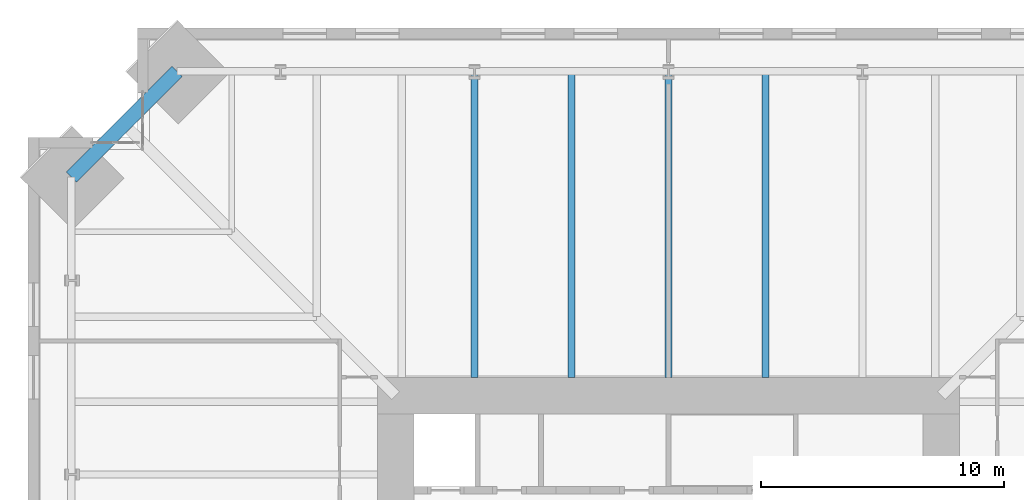
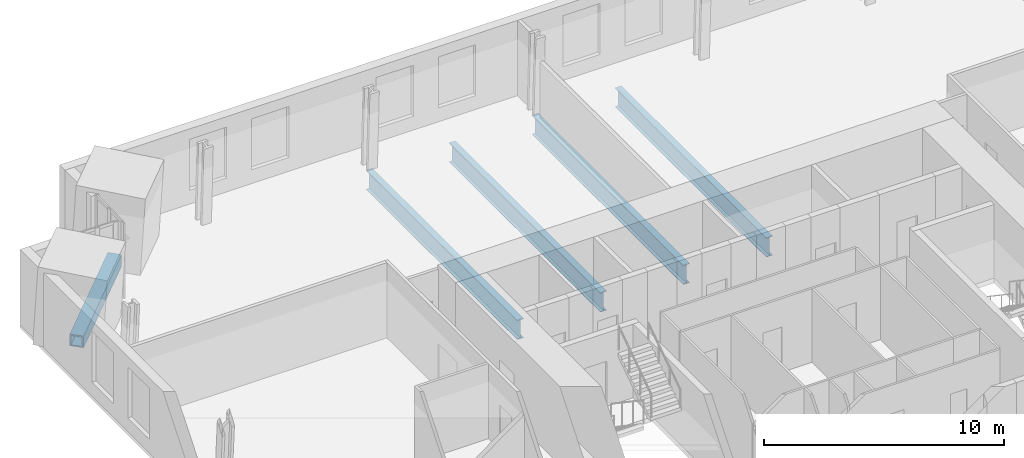
# One storey, part 7 of 18: 5 beams.
"""IFC4 building model written with IfcOpenShell, lengths in metres."""

from ifc_helpers import new_model, si_unit, direction, frame, origin, origin_2d, place, context, subcontext, project, spatial, hollow_rectangle, i_section, extrude, material, material_profile, profile_set, type_object, element, save


model = new_model("IFC4")

# Units and contexts
model_context = context("Model", 3, precision=1e-05, world=origin(), true_north=direction((0.0, 1.0)))
body_context = subcontext(model_context, "Body", "Model", "MODEL_VIEW")
ifc_project = project(units=[si_unit("LENGTHUNIT", "METRE"), si_unit("AREAUNIT", "SQUARE_METRE"), si_unit("VOLUMEUNIT", "CUBIC_METRE"), si_unit("PLANEANGLEUNIT", "RADIAN"), si_unit("MASSUNIT", "GRAM", prefix="KILO")], contexts=[model_context])

# Site, building, storey
site_placement = place(None, origin())
site = spatial("IfcSite", under=ifc_project, at=site_placement, CompositionType="ELEMENT")
building_placement = place(site_placement, origin())
building = spatial("IfcBuilding", under=site, at=building_placement, Name="Peilmerk Tower", CompositionType="ELEMENT")
storey_placement = place(building_placement, frame((0.0, 0.0, 155.800048828125)))
storey = spatial("IfcBuildingStorey", under=building, at=storey_placement, Name="L32", CompositionType="ELEMENT", Elevation=155.800048828125)

# Beams
ifc_material_1 = material(Name="Steel S355", Category="steel")
ifc_material_profile_1 = material_profile(ifc_material_1, i_section(OverallWidth=0.300048828125, OverallDepth=0.989990234375, WebThickness=0.0166015625, FlangeThickness=0.031005859375, at=origin_2d()), Name="HEA 1000")
ifc_profile_set_1 = profile_set([ifc_material_profile_1], Name="Steel S355")
beam_type_1 = type_object("IfcBeamType", Name="B14 HEA 1000 floor girder", PredefinedType="BEAM", material=ifc_profile_set_1)
for number, where, z_axis, x_axis, name in (
    (1, (4.0, 12.0, -0.6650390625), (0.0, 1.0, 0.0), (-1.0, 0.0, 0.0), "Floor beam L32"),
    (2, (0.0, 12.0, -0.6650390625), (0.0, 1.0, 0.0), (-1.0, 0.0, 0.0), "Floor beam L32"),
    (3, (-4.0, 12.0, -0.6650390625), (0.0, 1.0, 0.0), (-1.0, 0.0, 0.0), "Floor beam L32"),
    (4, (-8.0, 12.0, -0.6650390625), (0.0, 1.0, 0.0), (-1.0, 0.0, 0.0), "Floor beam L32"),
):
    element("IfcBeam", number, at=place(storey_placement, frame(where, z_axis=z_axis, x_axis=x_axis)), inside=storey, type_object=beam_type_1, Name=name, PredefinedType="BEAM", context=body_context, shape_type="SweptSolid", body=[
        extrude(i_section(OverallWidth=0.300048828125, OverallDepth=0.989990234375, WebThickness=0.0166015625, FlangeThickness=0.031005859375, at=origin_2d()), origin(), (0.0, 0.0, 1.0), 12.614501953125),
    ])
ifc_material_2 = material(Name="Steel S460", Category="steel")
ifc_material_profile_2 = material_profile(ifc_material_2, hollow_rectangle(XDim=0.60009765625, YDim=0.60009765625, WallThickness=0.06005859375, at=origin_2d()), Name="BOX 600x600x60")
ifc_profile_set_2 = profile_set([ifc_material_profile_2], Name="Steel S460")
beam_type_2 = type_object("IfcBeamType", Name="B20 BOX 600x600x60 notch beam", PredefinedType="SPANDREL", material=ifc_profile_set_2)
beam_placement = place(storey_placement, frame((-24.614501953125, 20.264404296875, -0.469970703125), z_axis=(0.707106781187, 0.707106781187, 0.0), x_axis=(-0.707106781187, 0.707106781187, 0.0)))
element("IfcBeam", 5, at=beam_placement, inside=storey, type_object=beam_type_2, Name="Notch beam L32", PredefinedType="SPANDREL", context=body_context, shape_type="SweptSolid", body=[
    extrude(hollow_rectangle(XDim=0.60009765625, YDim=0.60009765625, WallThickness=0.06005859375, at=origin_2d()), origin(), (0.0, 0.0, 1.0), 6.15185546875),
])

save(model, "model.ifc")
